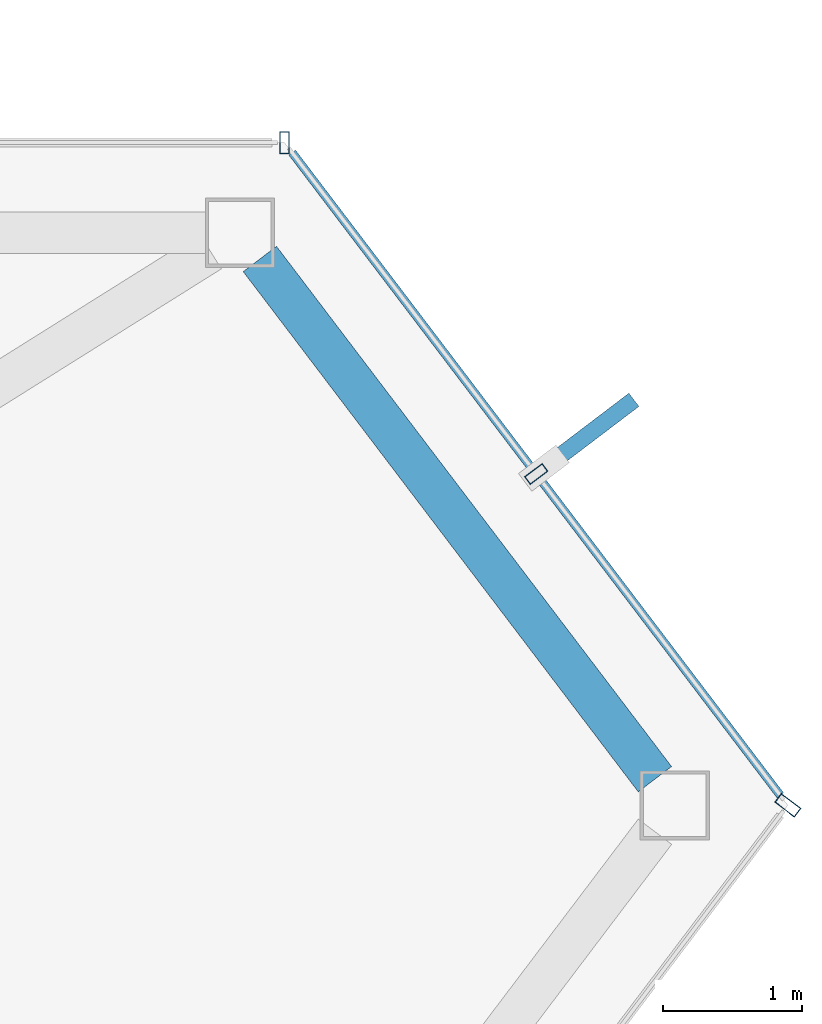
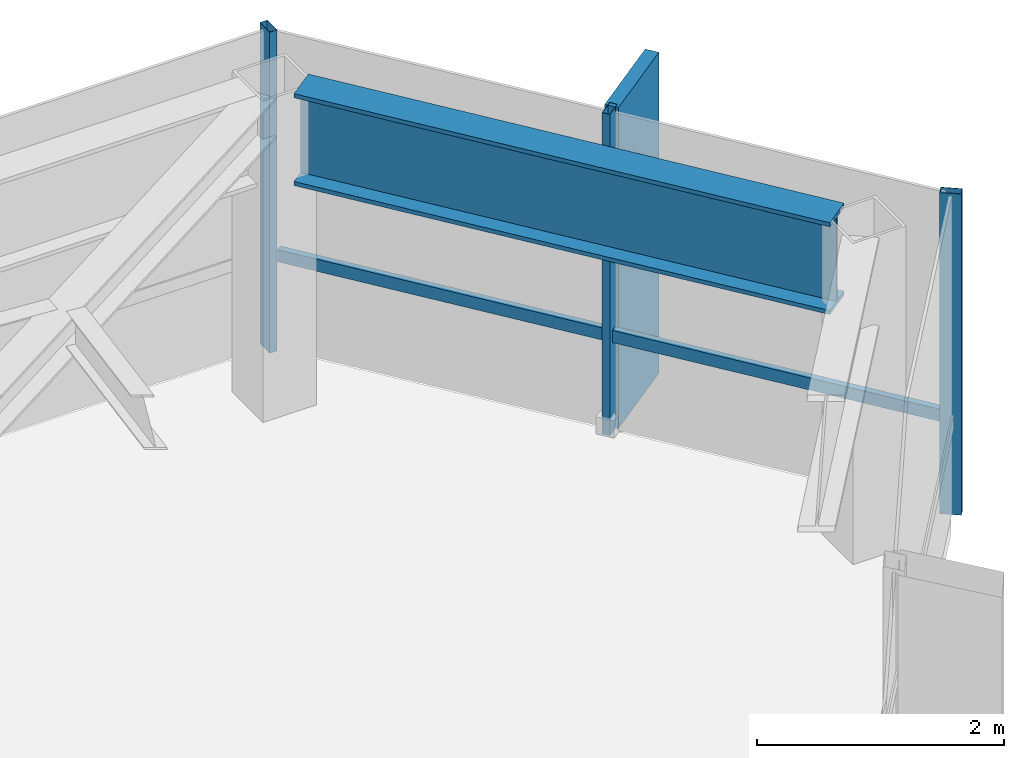
# One storey, part 19 of 24: 5 members, 1 beam, 3 elements without a shape of their own.
"""IFC4 building model written with IfcOpenShell, lengths in metres."""

import ifcopenshell
import ifcopenshell.guid

model = None  # the IFC model being written
_history = None  # IfcOwnerHistory: only IFC2X3 demands one
_inside = {}  # id of a spatial element -> (the spatial element, [elements in it])
_under = {}  # id of a project, library or spatial element -> (it, [spatial elements below it])
_declared = {}  # id of a project -> (the project, [libraries it declares])
_typed = {}  # id of a type object -> (the type object, [elements of that type])
_made_of = {}  # id of a material, layer set ... -> (it, [elements and type objects made of it])


def new_model(schema):
    """Start an empty IFC model of exactly this schema.

    Asked for "IFC4X3", IfcOpenShell would pick the latest addendum, in which some entities
    have other attributes; the version numbers below select the first issue.
    IFC2X3 requires an IfcOwnerHistory on every rooted entity: one is made here for all.
    """
    global model, _history
    if schema == "IFC4X3":
        model = ifcopenshell.file(schema_version=(4, 3, 0, 0))
    else:
        model = ifcopenshell.file(schema=schema)
    _inside.clear()
    _under.clear()
    _declared.clear()
    _typed.clear()
    _made_of.clear()
    _history = None
    if model.schema == "IFC2X3":
        org = make("IfcOrganization", Name="unknown")
        user = make(
            "IfcPersonAndOrganization",
            ThePerson=make("IfcPerson", FamilyName="unknown"),
            TheOrganization=org,
        )
        app = make(
            "IfcApplication",
            ApplicationDeveloper=org,
            Version="unknown",
            ApplicationFullName="unknown",
            ApplicationIdentifier="unknown",
        )
        _history = make(
            "IfcOwnerHistory",
            OwningUser=user,
            OwningApplication=app,
            ChangeAction="ADDED",
            CreationDate=0,
        )
    return model


def make(cls, **values):
    """One entity of the class cls with the attributes given. An attribute that is None is left unset."""
    return model.create_entity(
        cls, **{name: value for name, value in values.items() if value is not None}
    )


def rooted(cls, **values):
    """An entity with a GlobalId (a new one), such as an element, a storey or a relation."""
    return make(cls, GlobalId=ifcopenshell.guid.new(), OwnerHistory=_history, **values)


def si_unit(unit_type, name, prefix=None):
    """IfcSIUnit, for example si_unit("LENGTHUNIT", "METRE", prefix="MILLI")."""
    return make("IfcSIUnit", UnitType=unit_type, Prefix=prefix, Name=name)


def assignment(units):
    """IfcUnitAssignment: the units of a project."""
    return None if units is None else make("IfcUnitAssignment", Units=units)


def point(xyz):
    """IfcCartesianPoint."""
    return None if xyz is None else make("IfcCartesianPoint", Coordinates=xyz)


def direction(xyz):
    """IfcDirection."""
    return None if xyz is None else make("IfcDirection", DirectionRatios=xyz)


def frame(location, z_axis=None, x_axis=None):
    """IfcAxis2Placement3D, a coordinate frame: its origin and axes. An axis left out is left unset."""
    return make(
        "IfcAxis2Placement3D",
        Location=point(location),
        Axis=direction(z_axis),
        RefDirection=direction(x_axis),
    )


def frame_2d(location, x_axis=None):
    """IfcAxis2Placement2D, a coordinate frame in the plane: its origin and x axis."""
    return make(
        "IfcAxis2Placement2D", Location=point(location), RefDirection=direction(x_axis)
    )


def origin():
    """The frame at (0, 0, 0) with its axes left unset."""
    return frame((0.0, 0.0, 0.0))


def origin_2d():
    """The frame at (0, 0) in the plane with its x axis left unset."""
    return frame_2d((0.0, 0.0))


def place(relative_to, where):
    """IfcLocalPlacement: puts the frame where relative to a parent placement (None: the world)."""
    return make(
        "IfcLocalPlacement", PlacementRelTo=relative_to, RelativePlacement=where
    )


def context(
    kind, dimensions, precision=None, world=None, true_north=None, identifier=None
):
    """IfcGeometricRepresentationContext, for example the 3D "Model" context."""
    return make(
        "IfcGeometricRepresentationContext",
        ContextIdentifier=identifier,
        ContextType=kind,
        CoordinateSpaceDimension=dimensions,
        Precision=precision,
        WorldCoordinateSystem=world,
        TrueNorth=true_north,
    )


def subcontext(parent, identifier, kind, view, scale=None):
    """IfcGeometricRepresentationSubContext, for example "Body" below "Model"."""
    return make(
        "IfcGeometricRepresentationSubContext",
        ContextIdentifier=identifier,
        ContextType=kind,
        ParentContext=parent,
        TargetScale=scale,
        TargetView=view,
    )


def project(units=None, contexts=None):
    """IfcProject with its units and contexts."""
    return rooted(
        "IfcProject",
        Name="project",
        RepresentationContexts=contexts,
        UnitsInContext=assignment(units),
    )


def spatial(cls, under=None, at=None, **own):
    """A site, building, storey or space (cls), placed at a placement, below another one or the project."""
    s = rooted(cls, ObjectPlacement=at, **own)
    if under is not None:
        _under.setdefault(under.id(), (under, []))[1].append(s)
    return s


def profile(cls, at=None, kind="AREA", **sizes):
    """A parametric profile (cls). Its sizes go by their IFC names, for example OverallWidth=200.0."""
    return make(cls, ProfileType=kind, Position=at, **sizes)


def rectangle(**sizes):
    """IfcRectangleProfileDef."""
    return profile("IfcRectangleProfileDef", **sizes)


def hollow_rectangle(**sizes):
    """IfcRectangleHollowProfileDef."""
    return profile("IfcRectangleHollowProfileDef", **sizes)


def i_section(**sizes):
    """IfcIShapeProfileDef."""
    return profile("IfcIShapeProfileDef", **sizes)


def extrude(swept, where, along, depth):
    """IfcExtrudedAreaSolid: the profile swept, set in the frame where, extruded along a direction by depth."""
    return make(
        "IfcExtrudedAreaSolid",
        SweptArea=swept,
        Position=where,
        ExtrudedDirection=direction(along),
        Depth=depth,
    )


def shape(context_of_items, identifier, shape_type, items):
    """IfcShapeRepresentation: the items that make up one representation, for example the "Body"."""
    return make(
        "IfcShapeRepresentation",
        ContextOfItems=context_of_items,
        RepresentationIdentifier=identifier,
        RepresentationType=shape_type,
        Items=items,
    )


def material(Name=None, Category=None):
    """IfcMaterial."""
    return make("IfcMaterial", Name=Name, Category=Category)


def layer(
    of_material, thickness, ventilated=None, Name=None, Category=None, Priority=None
):
    """IfcMaterialLayer: one layer of a wall or slab, of a material (None: an air gap)."""
    return make(
        "IfcMaterialLayer",
        Material=of_material,
        LayerThickness=thickness,
        IsVentilated=ventilated,
        Name=Name,
        Category=Category,
        Priority=Priority,
    )


def layer_set(layers, Name=None):
    """IfcMaterialLayerSet."""
    return make("IfcMaterialLayerSet", MaterialLayers=layers, LayerSetName=Name)


def material_profile(
    of_material, cross_section, Name=None, Category=None, Priority=None
):
    """IfcMaterialProfile: a cross section and its material."""
    return make(
        "IfcMaterialProfile",
        Name=Name,
        Material=of_material,
        Profile=cross_section,
        Priority=Priority,
        Category=Category,
    )


def profile_set(profiles, Name=None, composite=None):
    """IfcMaterialProfileSet."""
    return make(
        "IfcMaterialProfileSet",
        Name=Name,
        MaterialProfiles=profiles,
        CompositeProfile=composite,
    )


def made_of(thing, what):
    """Note that an element or type object is made of a material, layer set ...; save() writes the relation."""
    if what is not None:
        _made_of.setdefault(what.id(), (what, []))[1].append(thing)
    return thing


def type_object(cls, material=None, **own):
    """A type object (cls), such as IfcWallType, which elements share."""
    return made_of(rooted(cls, **own), material)


def element(
    cls,
    number,
    at=None,
    inside=None,
    cuts=None,
    type_object=None,
    material=None,
    context=None,
    identifier="Body",
    shape_type=None,
    held_by="IfcProductDefinitionShape",
    body=None,
    shapes=None,
    **own,
):
    """One element of the class cls, such as IfcWall. Its Tag is "e" and its number.

    at: its placement. inside: the storey or other place that contains it. cuts: it is an
    opening in that element (IfcRelVoidsElement). A single representation is given by context,
    identifier, shape_type and body (its items); several are given by shapes. held_by: the class
    of the entity that holds the representations. save() writes the other relations.
    """
    e = rooted(cls, Tag="e%d" % number, ObjectPlacement=at, **own)
    if body is not None:
        shapes = [shape(context, identifier, shape_type, body)]
    if shapes is not None:
        e.Representation = make(held_by, Representations=shapes)
    if inside is not None:
        _inside.setdefault(inside.id(), (inside, []))[1].append(e)
    if cuts is not None:
        rooted(
            "IfcRelVoidsElement", RelatingBuildingElement=cuts, RelatedOpeningElement=e
        )
    if type_object is not None:
        _typed.setdefault(type_object.id(), (type_object, []))[1].append(e)
    return made_of(e, material)


def aggregate(whole, parts):
    """IfcRelAggregates: a whole, such as a stair, and the parts it consists of."""
    return rooted("IfcRelAggregates", RelatingObject=whole, RelatedObjects=parts)


def save(model, path):
    """Write the relations noted so far, then the file.

    IfcRelAggregates (storeys below a building ...), IfcRelContainedInSpatialStructure (elements
    in a storey), IfcRelDefinesByType, IfcRelAssociatesMaterial and IfcRelDeclares: one each for
    every whole, place, type object, material and project.
    """
    for whole, parts in _under.values():
        aggregate(whole, parts)
    for where, things in _inside.values():
        rooted(
            "IfcRelContainedInSpatialStructure",
            RelatedElements=things,
            RelatingStructure=where,
        )
    for kind, things in _typed.values():
        rooted("IfcRelDefinesByType", RelatedObjects=things, RelatingType=kind)
    for what, things in _made_of.values():
        rooted("IfcRelAssociatesMaterial", RelatedObjects=things, RelatingMaterial=what)
    for by, libraries in _declared.values():
        rooted("IfcRelDeclares", RelatingContext=by, RelatedDefinitions=libraries)
    model.write(path)


model = new_model("IFC4")

# Units and contexts
model_context = context("Model", 3, precision=1e-05, world=origin(), true_north=direction((0.0, 1.0)))
body_context = subcontext(model_context, "Body", "Model", "MODEL_VIEW")
ifc_project = project(units=[si_unit("LENGTHUNIT", "METRE"), si_unit("AREAUNIT", "SQUARE_METRE"), si_unit("VOLUMEUNIT", "CUBIC_METRE"), si_unit("PLANEANGLEUNIT", "RADIAN"), si_unit("MASSUNIT", "GRAM", prefix="KILO")], contexts=[model_context])

# Site, building, storey
site_placement = place(None, origin())
site = spatial("IfcSite", under=ifc_project, at=site_placement, CompositionType="ELEMENT")
building_placement = place(site_placement, origin())
building = spatial("IfcBuilding", under=site, at=building_placement, Name="Zarrinselat Tower", CompositionType="ELEMENT")
storey_placement = place(building_placement, frame((0.0, 0.0, 272.0)))
storey = spatial("IfcBuildingStorey", under=building, at=storey_placement, Name="L69", CompositionType="ELEMENT", Elevation=272.0)

# Beam
ifc_material_1 = material(Name="Steel S460M", Category="steel")
ifc_material_profile_1 = material_profile(ifc_material_1, i_section(OverallWidth=0.302001953125, OverallDepth=0.909912109375, WebThickness=0.02099609375, FlangeThickness=0.0400390625, at=origin_2d()), Name="HEM 900")
ifc_profile_set_1 = profile_set([ifc_material_profile_1], Name="Steel S460M")
beam_type = type_object("IfcBeamType", Name="BM-HEM900", PredefinedType="BEAM", material=ifc_profile_set_1)
beam_placement = place(storey_placement, frame((56.947509765625, 46.910400390625, 2.72509765625), z_axis=(0.60477858879, -0.796393658024, 0.0), x_axis=(0.796393658024, 0.60477858879, 0.0)))
element("IfcBeam", 1, at=beam_placement, inside=storey, type_object=beam_type, Name="L69 Perimeter Spandrel Girder SP15", PredefinedType="BEAM", context=body_context, shape_type="SweptSolid", body=[
    extrude(i_section(OverallWidth=0.302001953125, OverallDepth=0.909912109375, WebThickness=0.02099609375, FlangeThickness=0.0400390625, at=origin_2d()), origin(), (0.0, 0.0, 1.0), 4.71435546875),
])

# Curtain wall, member
ifc_material_2 = material(Name="Extruded Aluminium Alloy EN AW-6063 T6", Category="aluminium")
ifc_layer_1 = layer(ifc_material_2, 0.199951171875)
ifc_layer_set_1 = layer_set([ifc_layer_1], Name="Extruded Aluminium Alloy EN AW-6063 T6")
curtain_wall_type_1 = type_object("IfcCurtainWallType", Name="CWS-BLADE", PredefinedType="NOTDEFINED", material=ifc_layer_set_1)
curtain_wall_1_placement = place(storey_placement, origin())
curtain_wall_1 = element("IfcCurtainWall", 2, at=curtain_wall_1_placement, inside=storey, type_object=curtain_wall_type_1, Name="L69 Unitised Curtain Wall CW-L69-E05", PredefinedType="NOTDEFINED")
ifc_material_3 = material(Name="Extruded Aluminium Alloy EN AW-6063 T6", Category="aluminium")
ifc_material_profile_2 = material_profile(ifc_material_3, hollow_rectangle(XDim=0.080078125, YDim=0.179931640625, WallThickness=0.0048828125, at=origin_2d()), Name="RHS 180x80x5")
ifc_profile_set_2 = profile_set([ifc_material_profile_2], Name="Extruded Aluminium Alloy EN AW-6063 T6")
member_type_1 = type_object("IfcMemberType", Name="MEM-CW-MUL", PredefinedType="MULLION", material=ifc_profile_set_2)
member_1_placement = place(storey_placement, frame((60.75830078125, 42.96728515625, 0.0), z_axis=(0.0, 0.0, 1.0), x_axis=(0.603169586453, 0.797612970041, 0.0)))
member_1 = element("IfcMember", 3, at=member_1_placement, type_object=member_type_1, Name="CW-L69-E05 Mullion 10", PredefinedType="MULLION", context=body_context, shape_type="SweptSolid", body=[
    extrude(hollow_rectangle(XDim=0.080078125, YDim=0.179931640625, WallThickness=0.0048828125, at=origin_2d()), origin(), (0.0, 0.0, 1.0), 3.179931640625),
])
aggregate(curtain_wall_1, [member_1])

ifc_material_4 = material(Name="Extruded Aluminium Alloy EN AW-6063 T6", Category="aluminium")
ifc_layer_2 = layer(ifc_material_4, 0.169921875)
ifc_layer_set_2 = layer_set([ifc_layer_2], Name="Extruded Aluminium Alloy EN AW-6063 T6")
curtain_wall_type_2 = type_object("IfcCurtainWallType", Name="CWS-RES", PredefinedType="NOTDEFINED", material=ifc_layer_set_2)
curtain_wall_2_placement = place(storey_placement, origin())
curtain_wall_2 = element("IfcCurtainWall", 4, at=curtain_wall_2_placement, inside=storey, type_object=curtain_wall_type_2, Name="L69 Unitised Curtain Wall CW-L69-E01", PredefinedType="NOTDEFINED")
ifc_material_5 = material(Name="Extruded Aluminium Alloy EN AW-6063 T6", Category="aluminium")
ifc_material_profile_3 = material_profile(ifc_material_5, hollow_rectangle(XDim=0.070068359375, YDim=0.159912109375, WallThickness=0.00390625, at=origin_2d()), Name="RHS 160x70x4")
ifc_profile_set_3 = profile_set([ifc_material_profile_3], Name="Extruded Aluminium Alloy EN AW-6063 T6")
member_type_2 = type_object("IfcMemberType", Name="MEM-CW-MUL2", PredefinedType="MULLION", material=ifc_profile_set_3)
member_2_placement = place(storey_placement, frame((57.126220703125, 47.75, 0.0), z_axis=(0.0, 0.0, 1.0), x_axis=(-1.0, 0.0, 0.0)))
member_2 = element("IfcMember", 5, at=member_2_placement, type_object=member_type_2, Name="CW-L69-E01 Mullion 0", PredefinedType="MULLION", context=body_context, shape_type="SweptSolid", body=[
    extrude(hollow_rectangle(XDim=0.070068359375, YDim=0.159912109375, WallThickness=0.00390625, at=origin_2d()), origin(), (0.0, 0.0, 1.0), 3.179931640625),
])
aggregate(curtain_wall_2, [member_2])

# Curtain wall, members
curtain_wall_3_placement = place(storey_placement, origin())
curtain_wall_3 = element("IfcCurtainWall", 6, at=curtain_wall_3_placement, inside=storey, type_object=curtain_wall_type_2, Name="L69 Unitised Curtain Wall CW-L69-E06", PredefinedType="NOTDEFINED")
member_3_placement = place(storey_placement, frame((58.942138671875, 45.358642578125, 0.0), z_axis=(0.0, 0.0, 1.0), x_axis=(-0.604782197055, 0.796390917907, 0.0)))
member_3 = element("IfcMember", 7, at=member_3_placement, type_object=member_type_2, Name="CW-L69-E06 Mullion 1", PredefinedType="MULLION", context=body_context, shape_type="SweptSolid", body=[
    extrude(hollow_rectangle(XDim=0.070068359375, YDim=0.159912109375, WallThickness=0.00390625, at=origin_2d()), origin(), (0.0, 0.0, 1.0), 3.179931640625),
])
ifc_material_6 = material(Name="Extruded Aluminium Alloy EN AW-6063 T6", Category="aluminium")
ifc_material_profile_4 = material_profile(ifc_material_6, hollow_rectangle(XDim=0.06005859375, YDim=0.1201171875, WallThickness=0.00390625, at=origin_2d()), Name="RHS 120x60x4")
ifc_profile_set_4 = profile_set([ifc_material_profile_4], Name="Extruded Aluminium Alloy EN AW-6063 T6")
member_type_3 = type_object("IfcMemberType", Name="MEM-CW-TRN2", PredefinedType="USERDEFINED", material=ifc_profile_set_4)
member_4_placement = place(storey_placement, frame((60.703857421875, 43.0390625, 0.949951171875), z_axis=(-0.60480375916, 0.796374543105, 0.0), x_axis=(-0.796374543105, -0.60480375916, 0.0)))
member_4 = element("IfcMember", 8, at=member_4_placement, type_object=member_type_3, Name="CW-L69-E06 Transom 1", ObjectType="TRANSOM", PredefinedType="USERDEFINED", context=body_context, shape_type="SweptSolid", body=[
    extrude(hollow_rectangle(XDim=0.06005859375, YDim=0.1201171875, WallThickness=0.00390625, at=origin_2d()), origin(), (0.0, 0.0, 1.0), 5.825439453125),
])
ifc_material_7 = material(Name="Honed Cream Travertine Stone", Category="masonry")
ifc_material_profile_5 = material_profile(ifc_material_7, rectangle(XDim=0.1201171875, YDim=0.85009765625, at=origin_2d()), Name="FIN 850x120")
ifc_profile_set_5 = profile_set([ifc_material_profile_5], Name="Honed Cream Travertine Stone")
member_type_4 = type_object("IfcMemberType", Name="MEM-STONE-FIN", PredefinedType="USERDEFINED", material=ifc_profile_set_5)
member_5_placement = place(storey_placement, frame((59.30859375, 45.63671875, 0.0), z_axis=(0.0, 0.0, 1.0), x_axis=(0.604782197055, -0.796390917907, 0.0)))
member_5 = element("IfcMember", 9, at=member_5_placement, type_object=member_type_4, Name="L69 Stone Shading Fin CW-L69-E06-01", ObjectType="FIN", PredefinedType="USERDEFINED", context=body_context, shape_type="SweptSolid", body=[
    extrude(rectangle(XDim=0.1201171875, YDim=0.85009765625, at=origin_2d()), origin(), (0.0, 0.0, 1.0), 3.179931640625),
])
aggregate(curtain_wall_3, [member_3, member_5, member_4])

save(model, "model.ifc")
